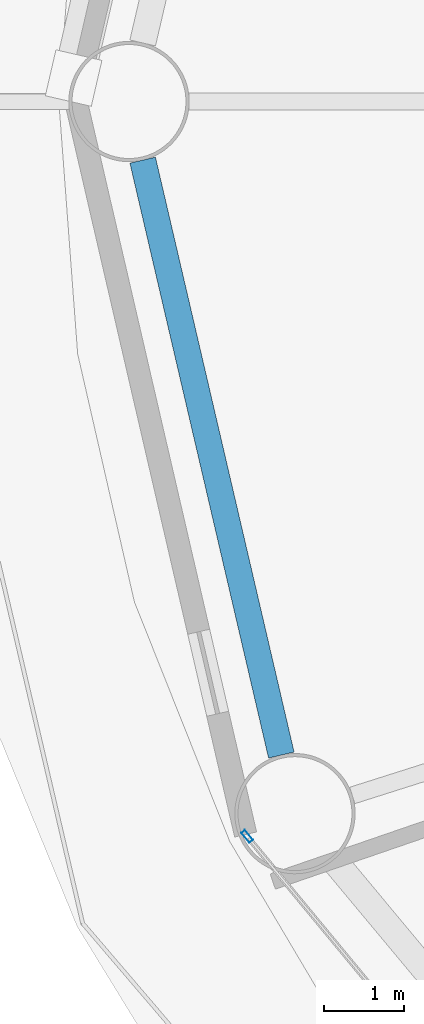
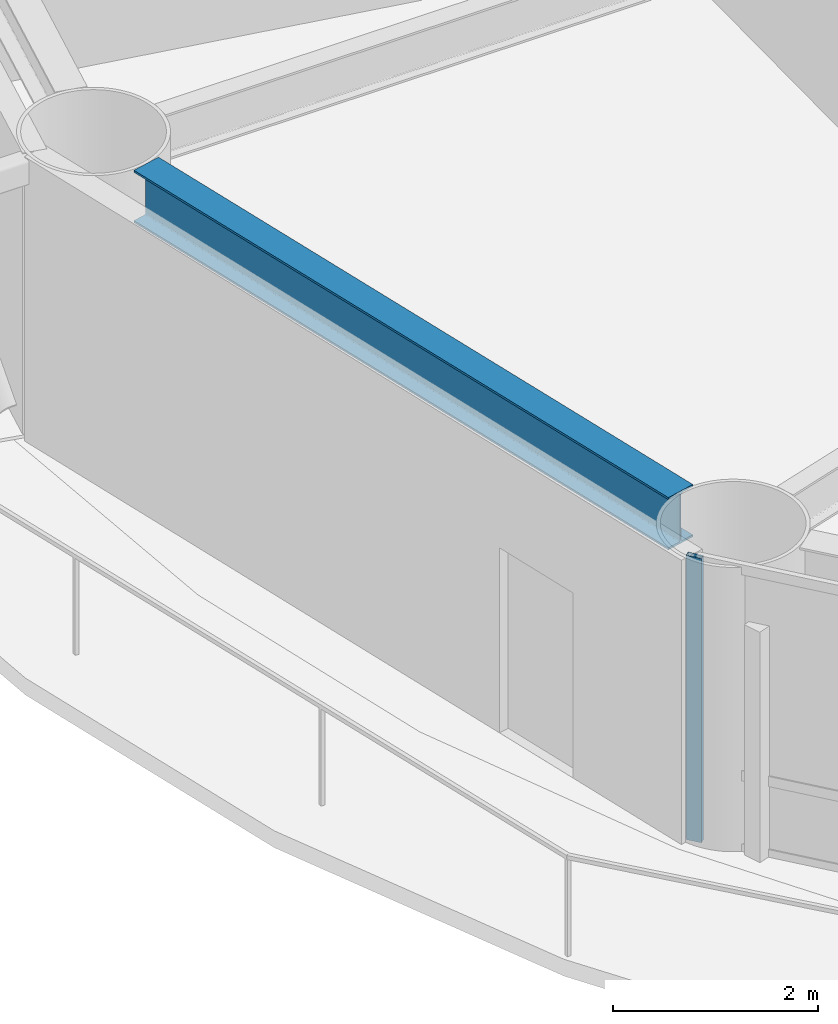
# One storey, part 4 of 26: 1 beam, 1 member, 1 element without a shape of its own.
"""IFC4 building model written with IfcOpenShell, lengths in metres."""

from ifc_helpers import new_model, si_unit, direction, frame, origin, origin_2d, place, context, subcontext, project, spatial, hollow_rectangle, i_section, extrude, material, layer, layer_set, material_profile, profile_set, type_object, element, aggregate, save


model = new_model("IFC4")

# Units and contexts
model_context = context("Model", 3, precision=1e-05, world=origin(), true_north=direction((0.0, 1.0)))
body_context = subcontext(model_context, "Body", "Model", "MODEL_VIEW")
ifc_project = project(units=[si_unit("LENGTHUNIT", "METRE"), si_unit("AREAUNIT", "SQUARE_METRE"), si_unit("VOLUMEUNIT", "CUBIC_METRE"), si_unit("PLANEANGLEUNIT", "RADIAN"), si_unit("MASSUNIT", "GRAM", prefix="KILO")], contexts=[model_context])

# Site, building, storey
site_placement = place(None, origin())
site = spatial("IfcSite", under=ifc_project, at=site_placement, CompositionType="ELEMENT")
building_placement = place(site_placement, origin())
building = spatial("IfcBuilding", under=site, at=building_placement, Name="Sarneth Arch Tower", CompositionType="ELEMENT")
storey_placement = place(building_placement, frame((0.0, 0.0, 71.39990234375)))
storey = spatial("IfcBuildingStorey", under=building, at=storey_placement, Name="L17", CompositionType="ELEMENT", Elevation=71.39990234375)

# Beam
ifc_material_1 = material(Name="Steel S355", Category="steel")
ifc_material_profile_1 = material_profile(ifc_material_1, i_section(OverallWidth=0.326904296875, OverallDepth=0.6220703125, WebThickness=0.015380859375, FlangeThickness=0.0244140625, FilletRadius=0.01904296875, at=origin_2d()), Name="W610x195")
ifc_profile_set_1 = profile_set([ifc_material_profile_1], Name="Steel S355")
beam_type = type_object("IfcBeamType", Name="BM-SPAN-610A", PredefinedType="SPANDREL", material=ifc_profile_set_1)
beam_placement = place(storey_placement, frame((18.135498046875, 41.26953125, 3.069091796875), z_axis=(0.226982354826, -0.973898870827, 0.0), x_axis=(0.973898870827, 0.226982354826, 0.0)))
element("IfcBeam", 1, at=beam_placement, inside=storey, type_object=beam_type, Name="L17 Perimeter spandrel beam 09", PredefinedType="SPANDREL", context=body_context, shape_type="SweptSolid", body=[
    extrude(i_section(OverallWidth=0.326904296875, OverallDepth=0.6220703125, WebThickness=0.015380859375, FlangeThickness=0.0244140625, FilletRadius=0.01904296875, at=origin_2d()), origin(), (0.0, 0.0, 1.0), 7.6162109375),
])

# Curtain wall, member
ifc_material_2 = material(Name="Anodised aluminium Type AA25 and solar-control low-e laminated IGU", Category="aluminium")
ifc_layer = layer(ifc_material_2, 0.159912109375)
ifc_layer_set = layer_set([ifc_layer], Name="Anodised aluminium Type AA25 and solar-control low-e laminated IGU")
curtain_wall_type = type_object("IfcCurtainWallType", Name="CW-HOTEL-LOW", PredefinedType="NOTDEFINED", material=ifc_layer_set)
curtain_wall_placement = place(storey_placement, origin())
curtain_wall = element("IfcCurtainWall", 2, at=curtain_wall_placement, inside=storey, type_object=curtain_wall_type, Name="L17 Unitised curtain wall facet 10", PredefinedType="NOTDEFINED")
ifc_material_3 = material(Name="Anodised Aluminium 6063-T6", Category="aluminium")
ifc_material_profile_2 = material_profile(ifc_material_3, hollow_rectangle(XDim=0.06005859375, YDim=0.159912109375, WallThickness=0.00390625, at=origin_2d()), Name="AL-MULL-160x60x4")
ifc_profile_set_2 = profile_set([ifc_material_profile_2], Name="Anodised Aluminium 6063-T6")
member_type = type_object("IfcMemberType", Name="CW-MULLION", PredefinedType="MULLION", material=ifc_profile_set_2)
member_placement = place(storey_placement, frame((19.438232421875, 32.83837890625, 0.0), z_axis=(0.0, 0.0, 1.0), x_axis=(0.770622960278, 0.637291340827, 0.0)))
member = element("IfcMember", 3, at=member_placement, type_object=member_type, Name="CW-SYS-3 mullion 1", PredefinedType="MULLION", context=body_context, shape_type="SweptSolid", body=[
    extrude(hollow_rectangle(XDim=0.06005859375, YDim=0.159912109375, WallThickness=0.00390625, at=origin_2d()), origin(), (0.0, 0.0, 1.0), 3.380126953125),
])
aggregate(curtain_wall, [member])

save(model, "model.ifc")
